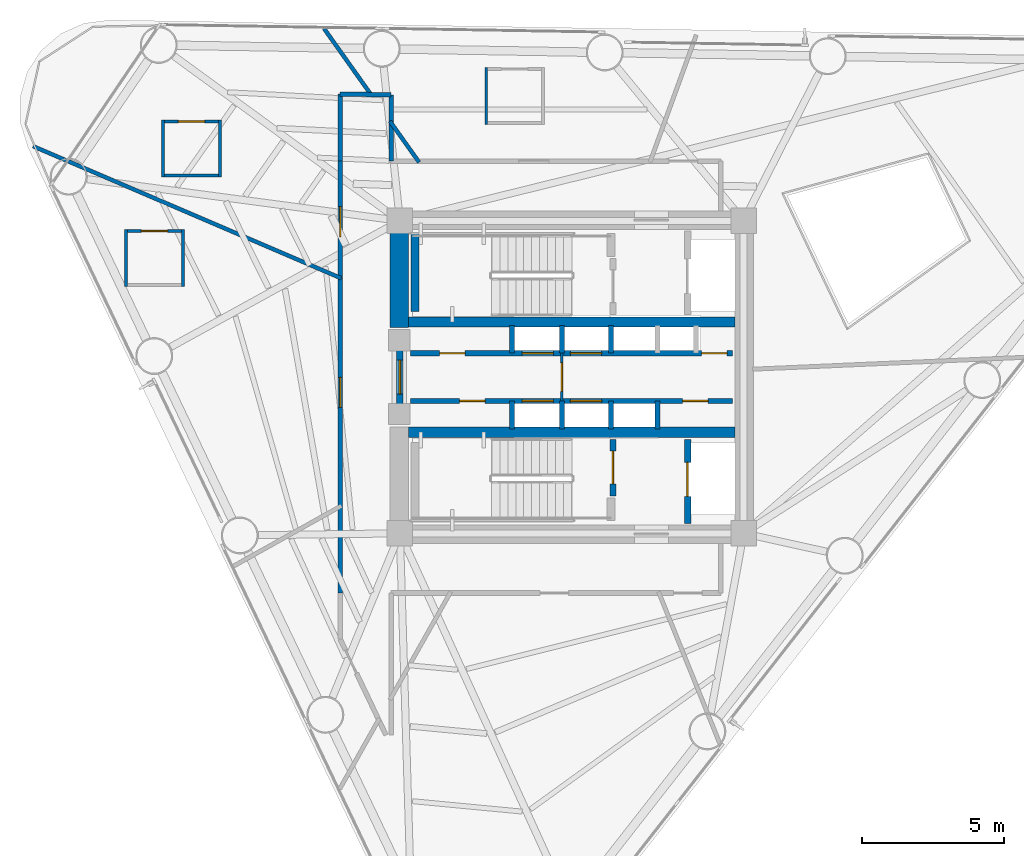
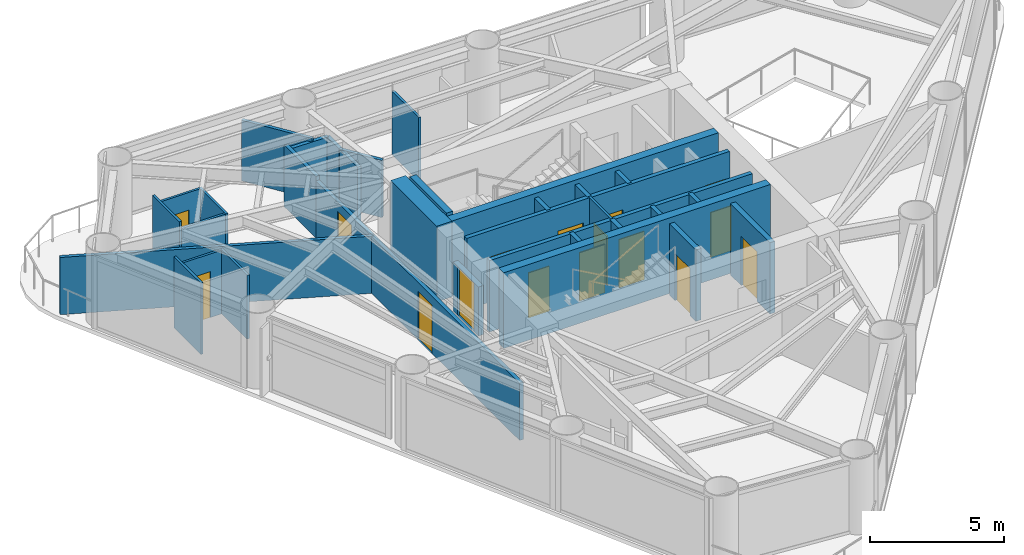
# One storey, part 6 of 10: 32 walls, 16 doors, 16 openings.
"""IFC4 building model written with IfcOpenShell, lengths in metres."""

from ifc_helpers import new_model, si_unit, direction, frame, frame_2d, origin, place, context, subcontext, project, spatial, rectangle, extrude, material, layer, layer_set, type_object, element, fill, save


model = new_model("IFC4")

# Units and contexts
model_context = context("Model", 3, precision=1e-05, world=origin(), true_north=direction((0.0, 1.0)))
body_context = subcontext(model_context, "Body", "Model", "MODEL_VIEW")
ifc_project = project(units=[si_unit("LENGTHUNIT", "METRE"), si_unit("AREAUNIT", "SQUARE_METRE"), si_unit("VOLUMEUNIT", "CUBIC_METRE"), si_unit("PLANEANGLEUNIT", "RADIAN"), si_unit("MASSUNIT", "GRAM", prefix="KILO")], contexts=[model_context])

# Site, building, storey
site_placement = place(None, origin())
site = spatial("IfcSite", under=ifc_project, at=site_placement, CompositionType="ELEMENT")
building_placement = place(site_placement, origin())
building = spatial("IfcBuilding", under=site, at=building_placement, Name="Yunling Apex Tower", CompositionType="ELEMENT")
storey_placement = place(building_placement, frame((0.0, 0.0, 143.300048828125)))
storey = spatial("IfcBuildingStorey", under=building, at=storey_placement, Name="L35", CompositionType="ELEMENT", Elevation=143.300048828125)

# Walls
ifc_material_1 = material(Name="Concrete C50", Category="concrete")
ifc_layer_1 = layer(ifc_material_1, 0.64990234375)
ifc_layer_set_1 = layer_set([ifc_layer_1], Name="Concrete C50")
wall_type_1 = type_object("IfcWallType", Name="WL-COR-2", PredefinedType="SHEAR", material=ifc_layer_set_1)
wall_1_placement = place(storey_placement, frame((-6.074951171875, 1.75, 0.0), z_axis=(0.0, 0.0, 1.0), x_axis=(0.0, 1.0, 0.0)))
element("IfcWall", 1, at=wall_1_placement, inside=storey, type_object=wall_type_1, Name="L35 West-North Core Shear Wall", PredefinedType="SHEAR", context=body_context, shape_type="SweptSolid", body=[
    extrude(rectangle(XDim=3.449951171875, YDim=0.64990234375, at=frame_2d((1.72509765625, 0.0))), origin(), (0.0, 0.0, 1.0), 3.449951171875),
])
ifc_material_2 = material(Name="Concrete C40", Category="concrete")
ifc_layer_2 = layer(ifc_material_2, 0.360107421875)
ifc_layer_set_2 = layer_set([ifc_layer_2], Name="Concrete C40")
wall_type_2 = type_object("IfcWallType", Name="WL-COR-4", PredefinedType="SHEAR", material=ifc_layer_set_2)
for number, where, z_axis, x_axis, name in (
    (2, (-5.75, 1.93994140625, 0.0), (0.0, 0.0, 1.0), (1.0, 0.0, 0.0), "L35 North Internal Core Shear Wall"),
    (3, (-5.75, -1.93994140625, 0.0), (0.0, 0.0, 1.0), (1.0, 0.0, 0.0), "L35 South Internal Core Shear Wall"),
):
    element("IfcWall", number, at=place(storey_placement, frame(where, z_axis=z_axis, x_axis=x_axis)), inside=storey, type_object=wall_type_2, Name=name, PredefinedType="SHEAR", context=body_context, shape_type="SweptSolid", body=[
        extrude(rectangle(XDim=11.5, YDim=0.360107421875, at=frame_2d((5.75, 0.0))), origin(), (0.0, 0.0, 1.0), 3.449951171875),
    ])
ifc_layer_3 = layer(ifc_material_2, 0.280029296875)
ifc_layer_set_3 = layer_set([ifc_layer_3], Name="Concrete C40")
wall_type_3 = type_object("IfcWallType", Name="WL-COR-8", PredefinedType="SHEAR", material=ifc_layer_set_3)
wall_2_placement = place(storey_placement, frame((-5.52001953125, 2.300048828125, 0.0), z_axis=(0.0, 0.0, 1.0), x_axis=(0.0, 1.0, 0.0)))
element("IfcWall", 4, at=wall_2_placement, inside=storey, type_object=wall_type_3, Name="L35 ST-1 West Landing Bearing Wall", PredefinedType="SHEAR", context=body_context, shape_type="SweptSolid", body=[
    extrude(rectangle(XDim=2.75, YDim=0.280029296875, at=frame_2d((1.375, 0.0))), origin(), (0.0, 0.0, 1.0), 3.449951171875),
])

# Wall, openings, doors
ifc_material_3 = material(Name="Gypsum board acoustic partition")
ifc_layer_4 = layer(ifc_material_3, 0.159912109375)
ifc_layer_set_4 = layer_set([ifc_layer_4], Name="Gypsum board acoustic partition")
wall_type_4 = type_object("IfcWallType", Name="WL-PRT-1", PredefinedType="PARTITIONING", material=ifc_layer_set_4)
wall_3_placement = place(storey_placement, frame((-8.14990234375, -7.60009765625, 0.0), z_axis=(0.0, 0.0, 1.0), x_axis=(0.0, 1.0, 0.0)))
wall_3 = element("IfcWall", 5, at=wall_3_placement, inside=storey, type_object=wall_type_4, Name="WL-CORR-L35-03", PredefinedType="PARTITIONING", context=body_context, shape_type="SweptSolid", body=[
    extrude(rectangle(XDim=15.2001953125, YDim=0.159912109375, at=frame_2d((7.60009765625, 0.0))), origin(), (0.0, 0.0, 1.0), 2.60498046875),
])
opening_1_placement = place(wall_3_placement, frame((6.538330078125, 0.0, 0.0)))
opening_1 = element("IfcOpeningElement", 6, at=opening_1_placement, cuts=wall_3, Name="Opening DR-FL-1", PredefinedType="OPENING", context=body_context, shape_type="SweptSolid", body=[
    extrude(rectangle(XDim=1.050048828125, YDim=2.199951171875, at=frame_2d((0.52490234375, 1.10009765625))), frame((0.0, 0.08984375, 0.0), z_axis=(0.0, -1.0, 0.0), x_axis=(1.0, 0.0, 0.0)), (0.0, 0.0, 1.0), 0.179931640625),
])
opening_2_placement = place(wall_3_placement, frame((12.548095703125, 0.0, 0.0)))
opening_2 = element("IfcOpeningElement", 7, at=opening_2_placement, cuts=wall_3, Name="Opening DR-FL-1", PredefinedType="OPENING", context=body_context, shape_type="SweptSolid", body=[
    extrude(rectangle(XDim=1.050048828125, YDim=2.199951171875, at=frame_2d((0.52490234375, 1.10009765625))), frame((0.0, 0.08984375, 0.0), z_axis=(0.0, -1.0, 0.0), x_axis=(1.0, 0.0, 0.0)), (0.0, 0.0, 1.0), 0.179931640625),
])
ifc_material_4 = material(Name="Timber fire-rated leaf", Category="wood")
door_type_1 = type_object("IfcDoorType", Name="DR-FL-1", OperationType="NOTDEFINED", PredefinedType="DOOR", material=ifc_material_4)
door_1_placement = place(opening_1_placement, origin())
door_1 = element("IfcDoor", 8, at=door_1_placement, inside=storey, type_object=door_type_1, Name="L35 Hotel Suite Door", OperationType="SINGLE_SWING_RIGHT", OverallHeight=2.199951171875, OverallWidth=1.050048828125, PredefinedType="DOOR", context=body_context, shape_type="SweptSolid", body=[
    extrude(rectangle(XDim=1.050048828125, YDim=2.199951171875, at=frame_2d((0.52490234375, 1.10009765625))), frame((0.0, 0.02490234375, 0.0), z_axis=(0.0, -1.0, 0.0), x_axis=(1.0, 0.0, 0.0)), (0.0, 0.0, 1.0), 0.050048828125),
])
fill(opening_1, door_1)
door_2_placement = place(opening_2_placement, origin())
door_2 = element("IfcDoor", 9, at=door_2_placement, inside=storey, type_object=door_type_1, Name="L35 Hotel Suite Door", OperationType="SINGLE_SWING_LEFT", OverallHeight=2.199951171875, OverallWidth=1.050048828125, PredefinedType="DOOR", context=body_context, shape_type="SweptSolid", body=[
    extrude(rectangle(XDim=1.050048828125, YDim=2.199951171875, at=frame_2d((0.52490234375, 1.10009765625))), frame((0.0, 0.02490234375, 0.0), z_axis=(0.0, -1.0, 0.0), x_axis=(1.0, 0.0, 0.0)), (0.0, 0.0, 1.0), 0.050048828125),
])
fill(opening_2, door_2)

# Walls
wall_4_placement = place(storey_placement, frame((-8.14990234375, 7.60009765625, 0.0), z_axis=(0.0, 0.0, 1.0), x_axis=(0.0, 1.0, 0.0)))
element("IfcWall", 10, at=wall_4_placement, inside=storey, type_object=wall_type_4, Name="WL-CORR-L35-04", PredefinedType="PARTITIONING", context=body_context, shape_type="SweptSolid", body=[
    extrude(rectangle(XDim=2.362548828125, YDim=0.159912109375, at=frame_2d((1.18115234375, 0.0))), origin(), (0.0, 0.0, 1.0), 2.804931640625),
])
wall_5_placement = place(storey_placement, frame((-8.14990234375, 9.962646484375, 0.0), z_axis=(0.0, 0.0, 1.0), x_axis=(0.999859277964, -0.016775704705, 0.0)))
element("IfcWall", 11, at=wall_5_placement, inside=storey, type_object=wall_type_4, Name="WL-CORR-L35-05", PredefinedType="PARTITIONING", context=body_context, shape_type="SweptSolid", body=[
    extrude(rectangle(XDim=1.7900390625, YDim=0.159912109375, at=frame_2d((0.89501953125, 0.0))), origin(), (0.0, 0.0, 1.0), 2.60498046875),
])
wall_6_placement = place(storey_placement, frame((-6.360107421875, 9.9326171875, 0.0), z_axis=(0.0, 0.0, 1.0), x_axis=(0.0, -1.0, 0.0)))
element("IfcWall", 12, at=wall_6_placement, inside=storey, type_object=wall_type_4, Name="WL-CORR-L35-06", PredefinedType="PARTITIONING", context=body_context, shape_type="SweptSolid", body=[
    extrude(rectangle(XDim=2.33251953125, YDim=0.159912109375, at=frame_2d((1.166259765625, 0.0))), origin(), (0.0, 0.0, 1.0), 2.60498046875),
])
ifc_layer_5 = layer(ifc_material_3, 0.139892578125)
ifc_layer_set_5 = layer_set([ifc_layer_5], Name="Gypsum board acoustic partition")
wall_type_5 = type_object("IfcWallType", Name="WL-PRT-2", PredefinedType="PARTITIONING", material=ifc_layer_set_5)
wall_7_placement = place(storey_placement, frame((-5.37255859375, 7.56005859375, 0.0), z_axis=(0.0, 0.0, 1.0), x_axis=(-0.579296202647, 0.815117114039, 0.0)))
element("IfcWall", 13, at=wall_7_placement, inside=storey, type_object=wall_type_5, Name="WL-RAD-L35-03", PredefinedType="PARTITIONING", context=body_context, shape_type="SweptSolid", body=[
    extrude(rectangle(XDim=1.7734375, YDim=0.139892578125, at=frame_2d((0.88671875, 0.0))), origin(), (0.0, 0.0, 1.0), 2.60498046875),
])
wall_8_placement = place(storey_placement, frame((-7.038330078125, 9.904052734375, 0.0), z_axis=(0.0, 0.0, 1.0), x_axis=(-0.57933697246, 0.815088137775, 0.0)))
element("IfcWall", 14, at=wall_8_placement, inside=storey, type_object=wall_type_5, Name="WL-RAD-L35-04", PredefinedType="PARTITIONING", context=body_context, shape_type="SweptSolid", body=[
    extrude(rectangle(XDim=2.893310546875, YDim=0.139892578125, at=frame_2d((1.44677734375, 0.0))), origin(), (0.0, 0.0, 1.0), 2.764892578125),
])
wall_9_placement = place(storey_placement, frame((-8.110107421875, 3.47607421875, 0.0), z_axis=(0.0, 0.0, 1.0), x_axis=(-0.919140751836, 0.393929280854, 0.0)))
element("IfcWall", 15, at=wall_9_placement, inside=storey, type_object=wall_type_5, Name="WL-RAD-L35-05", PredefinedType="PARTITIONING", context=body_context, shape_type="SweptSolid", body=[
    extrude(rectangle(XDim=11.806884765625, YDim=0.139892578125, at=frame_2d((5.9033203125, 0.0))), origin(), (0.0, 0.0, 1.0), 2.60498046875),
])

# Wall, opening, door
ifc_layer_6 = layer(ifc_material_3, 0.10009765625)
ifc_layer_set_6 = layer_set([ifc_layer_6], Name="Gypsum board acoustic partition")
wall_type_6 = type_object("IfcWallType", Name="WL-PRT-4", PredefinedType="PARTITIONING", material=ifc_layer_set_6)
wall_10_placement = place(storey_placement, frame((-0.35009765625, -0.840087890625, 0.0), z_axis=(0.0, 0.0, 1.0), x_axis=(0.0, 1.0, 0.0)))
wall_10 = element("IfcWall", 16, at=wall_10_placement, inside=storey, type_object=wall_type_6, Name="WL-LOB-MID-L35", PredefinedType="PARTITIONING", context=body_context, shape_type="SweptSolid", body=[
    extrude(rectangle(XDim=1.68017578125, YDim=0.10009765625, at=frame_2d((0.840087890625, 0.0))), origin(), (0.0, 0.0, 1.0), 3.25),
])
opening_3_placement = place(wall_10_placement, frame((0.340087890625, 0.0, 0.0)))
opening_3 = element("IfcOpeningElement", 17, at=opening_3_placement, cuts=wall_10, Name="Opening DR-OFF-1", PredefinedType="OPENING", context=body_context, shape_type="SweptSolid", body=[
    extrude(rectangle(XDim=1.0, YDim=2.25, at=frame_2d((0.5, 1.125))), frame((0.0, 0.06005859375, 0.0), z_axis=(0.0, -1.0, 0.0), x_axis=(1.0, 0.0, 0.0)), (0.0, 0.0, 1.0), 0.1201171875),
])
ifc_material_5 = material(Name="Bronze anodised aluminium", Category="aluminium")
door_type_2 = type_object("IfcDoorType", Name="DR-OFF-1", OperationType="NOTDEFINED", PredefinedType="DOOR", material=ifc_material_5)
door_3_placement = place(opening_3_placement, origin())
door_3 = element("IfcDoor", 18, at=door_3_placement, inside=storey, type_object=door_type_2, Name="L35 Core Lobby Link Door", OperationType="SINGLE_SWING_LEFT", OverallHeight=2.25, OverallWidth=1.0, PredefinedType="DOOR", context=body_context, shape_type="SweptSolid", body=[
    extrude(rectangle(XDim=1.0, YDim=2.25, at=frame_2d((0.5, 1.125))), frame((0.0, 0.02490234375, 0.0), z_axis=(0.0, -1.0, 0.0), x_axis=(1.0, 0.0, 0.0)), (0.0, 0.0, 1.0), 0.050048828125),
])
fill(opening_3, door_3)

# Wall
wall_11_placement = place(storey_placement, frame((-3.009033203125, 8.89208984375, 0.0), z_axis=(0.0, 0.0, 1.0), x_axis=(0.0, 1.0, 0.0)))
element("IfcWall", 19, at=wall_11_placement, inside=storey, type_object=wall_type_6, Name="WL-ENS-L35-5W", PredefinedType="PARTITIONING", context=body_context, shape_type="SweptSolid", body=[
    extrude(rectangle(XDim=2.0, YDim=0.10009765625, at=frame_2d((1.0, 0.0))), origin(), (0.0, 0.0, 1.0), 2.905029296875),
])

# Wall, opening, door
wall_12_placement = place(storey_placement, frame((-14.43310546875, 9.0, 0.0), z_axis=(0.0, 0.0, 1.0), x_axis=(1.0, 0.0, 0.0)))
wall_12 = element("IfcWall", 20, at=wall_12_placement, inside=storey, type_object=wall_type_6, Name="WL-ENS-L35-6N", PredefinedType="PARTITIONING", context=body_context, shape_type="SweptSolid", body=[
    extrude(rectangle(XDim=2.10009765625, YDim=0.10009765625, at=frame_2d((1.050048828125, 0.0))), origin(), (0.0, 0.0, 1.0), 2.905029296875),
])
opening_4_placement = place(wall_12_placement, frame((0.590087890625, 0.0, 0.0)))
opening_4 = element("IfcOpeningElement", 21, at=opening_4_placement, cuts=wall_12, Name="Opening DR-WC-1", PredefinedType="OPENING", context=body_context, shape_type="SweptSolid", body=[
    extrude(rectangle(XDim=0.919921875, YDim=2.10009765625, at=frame_2d((0.4599609375, 1.050048828125))), frame((0.0, 0.06005859375, 0.0), z_axis=(0.0, -1.0, 0.0), x_axis=(1.0, 0.0, 0.0)), (0.0, 0.0, 1.0), 0.1201171875),
])
ifc_material_6 = material(Name="Timber moisture-resistant leaf", Category="wood")
door_type_3 = type_object("IfcDoorType", Name="DR-WC-1", OperationType="NOTDEFINED", PredefinedType="DOOR", material=ifc_material_6)
door_4_placement = place(opening_4_placement, origin())
door_4 = element("IfcDoor", 22, at=door_4_placement, inside=storey, type_object=door_type_3, Name="L35 En-Suite Door", OperationType="SINGLE_SWING_LEFT", OverallHeight=2.10009765625, OverallWidth=0.919921875, PredefinedType="DOOR", context=body_context, shape_type="SweptSolid", body=[
    extrude(rectangle(XDim=0.919921875, YDim=2.10009765625, at=frame_2d((0.4599609375, 1.050048828125))), frame((0.0, 0.02490234375, 0.0), z_axis=(0.0, -1.0, 0.0), x_axis=(1.0, 0.0, 0.0)), (0.0, 0.0, 1.0), 0.050048828125),
])
fill(opening_4, door_4)

# Walls
wall_13_placement = place(storey_placement, frame((-12.3330078125, 7.10009765625, 0.0), z_axis=(0.0, 0.0, 1.0), x_axis=(-1.0, 0.0, 0.0)))
element("IfcWall", 23, at=wall_13_placement, inside=storey, type_object=wall_type_6, Name="WL-ENS-L35-6S", PredefinedType="PARTITIONING", context=body_context, shape_type="SweptSolid", body=[
    extrude(rectangle(XDim=2.10009765625, YDim=0.10009765625, at=frame_2d((1.050048828125, 0.0))), origin(), (0.0, 0.0, 1.0), 2.905029296875),
])
wall_14_placement = place(storey_placement, frame((-12.383056640625, 9.050048828125, 0.0), z_axis=(0.0, 0.0, 1.0), x_axis=(0.0, -1.0, 0.0)))
element("IfcWall", 24, at=wall_14_placement, inside=storey, type_object=wall_type_6, Name="WL-ENS-L35-6E", PredefinedType="PARTITIONING", context=body_context, shape_type="SweptSolid", body=[
    extrude(rectangle(XDim=2.0, YDim=0.10009765625, at=frame_2d((1.0, 0.0))), origin(), (0.0, 0.0, 1.0), 2.905029296875),
])
wall_15_placement = place(storey_placement, frame((-14.383056640625, 7.050048828125, 0.0), z_axis=(0.0, 0.0, 1.0), x_axis=(0.0, 1.0, 0.0)))
element("IfcWall", 25, at=wall_15_placement, inside=storey, type_object=wall_type_6, Name="WL-ENS-L35-6W", PredefinedType="PARTITIONING", context=body_context, shape_type="SweptSolid", body=[
    extrude(rectangle(XDim=2.0, YDim=0.10009765625, at=frame_2d((1.0, 0.0))), origin(), (0.0, 0.0, 1.0), 3.25),
])

# Wall, opening, door
wall_16_placement = place(storey_placement, frame((-15.736083984375, 5.14111328125, 0.0), z_axis=(0.0, 0.0, 1.0), x_axis=(1.0, 0.0, 0.0)))
wall_16 = element("IfcWall", 26, at=wall_16_placement, inside=storey, type_object=wall_type_6, Name="WL-ENS-L35-7N", PredefinedType="PARTITIONING", context=body_context, shape_type="SweptSolid", body=[
    extrude(rectangle(XDim=2.10009765625, YDim=0.10009765625, at=frame_2d((1.050048828125, 0.0))), origin(), (0.0, 0.0, 1.0), 2.905029296875),
])
opening_5_placement = place(wall_16_placement, frame((0.590087890625, 0.0, 0.0)))
opening_5 = element("IfcOpeningElement", 27, at=opening_5_placement, cuts=wall_16, Name="Opening DR-WC-1", PredefinedType="OPENING", context=body_context, shape_type="SweptSolid", body=[
    extrude(rectangle(XDim=0.919921875, YDim=2.10009765625, at=frame_2d((0.4599609375, 1.050048828125))), frame((0.0, 0.06005859375, 0.0), z_axis=(0.0, -1.0, 0.0), x_axis=(1.0, 0.0, 0.0)), (0.0, 0.0, 1.0), 0.1201171875),
])
door_5_placement = place(opening_5_placement, origin())
door_5 = element("IfcDoor", 28, at=door_5_placement, inside=storey, type_object=door_type_3, Name="L35 En-Suite Door", OperationType="SINGLE_SWING_RIGHT", OverallHeight=2.10009765625, OverallWidth=0.919921875, PredefinedType="DOOR", context=body_context, shape_type="SweptSolid", body=[
    extrude(rectangle(XDim=0.919921875, YDim=2.10009765625, at=frame_2d((0.4599609375, 1.050048828125))), frame((0.0, 0.02490234375, 0.0), z_axis=(0.0, -1.0, 0.0), x_axis=(1.0, 0.0, 0.0)), (0.0, 0.0, 1.0), 0.050048828125),
])
fill(opening_5, door_5)

# Walls
wall_17_placement = place(storey_placement, frame((-13.68603515625, 5.19091796875, 0.0), z_axis=(0.0, 0.0, 1.0), x_axis=(0.0, -1.0, 0.0)))
element("IfcWall", 29, at=wall_17_placement, inside=storey, type_object=wall_type_6, Name="WL-ENS-L35-7E", PredefinedType="PARTITIONING", context=body_context, shape_type="SweptSolid", body=[
    extrude(rectangle(XDim=2.0, YDim=0.10009765625, at=frame_2d((1.0, 0.0))), origin(), (0.0, 0.0, 1.0), 2.905029296875),
])
wall_18_placement = place(storey_placement, frame((-15.68603515625, 3.19091796875, 0.0), z_axis=(0.0, 0.0, 1.0), x_axis=(0.0, 1.0, 0.0)))
element("IfcWall", 30, at=wall_18_placement, inside=storey, type_object=wall_type_6, Name="WL-ENS-L35-7W", PredefinedType="PARTITIONING", context=body_context, shape_type="SweptSolid", body=[
    extrude(rectangle(XDim=2.0, YDim=0.10009765625, at=frame_2d((1.0, 0.0))), origin(), (0.0, 0.0, 1.0), 3.25),
])

# Wall, opening, door
ifc_material_7 = material(Name="Autoclaved aerated concrete masonry", Category="masonry")
ifc_layer_7 = layer(ifc_material_7, 0.219970703125)
ifc_layer_set_7 = layer_set([ifc_layer_7], Name="Autoclaved aerated concrete masonry")
wall_type_7 = type_object("IfcWallType", Name="WL-SHF-1", PredefinedType="PLUMBINGWALL", material=ifc_layer_set_7)
wall_19_placement = place(storey_placement, frame((-6.050048828125, -0.949951171875, 0.0), z_axis=(0.0, 0.0, 1.0), x_axis=(0.0, 1.0, 0.0)))
wall_19 = element("IfcWall", 31, at=wall_19_placement, inside=storey, type_object=wall_type_7, Name="WL-COR-WPORT-L35", PredefinedType="PLUMBINGWALL", context=body_context, shape_type="SweptSolid", body=[
    extrude(rectangle(XDim=1.89990234375, YDim=0.219970703125, at=frame_2d((0.949951171875, 0.0))), origin(), (0.0, 0.0, 1.0), 2.22998046875),
])
opening_6_placement = place(wall_19_placement, frame((0.35009765625, 0.0, 0.0)))
opening_6 = element("IfcOpeningElement", 32, at=opening_6_placement, cuts=wall_19, Name="Opening DR-FFL-1", PredefinedType="OPENING", context=body_context, shape_type="SweptSolid", body=[
    extrude(rectangle(XDim=1.199951171875, YDim=2.199951171875, at=frame_2d((0.60009765625, 1.10009765625))), frame((0.0, 0.1201171875, 0.0), z_axis=(0.0, -1.0, 0.0), x_axis=(1.0, 0.0, 0.0)), (0.0, 0.0, 1.0), 0.239990234375),
])
ifc_material_8 = material(Name="Steel Q355B", Category="steel")
door_type_4 = type_object("IfcDoorType", Name="DR-FFL-1", OperationType="NOTDEFINED", PredefinedType="DOOR", material=ifc_material_8)
door_6_placement = place(opening_6_placement, origin())
door_6 = element("IfcDoor", 33, at=door_6_placement, inside=storey, type_object=door_type_4, Name="L35 Passenger Lift Lobby Entrance Door", OperationType="SINGLE_SWING_RIGHT", OverallHeight=2.199951171875, OverallWidth=1.199951171875, PredefinedType="DOOR", context=body_context, shape_type="SweptSolid", body=[
    extrude(rectangle(XDim=1.199951171875, YDim=2.199951171875, at=frame_2d((0.60009765625, 1.10009765625))), frame((0.0, 0.02490234375, 0.0), z_axis=(0.0, -1.0, 0.0), x_axis=(1.0, 0.0, 0.0)), (0.0, 0.0, 1.0), 0.050048828125),
])
fill(opening_6, door_6)

wall_20_placement = place(storey_placement, frame((1.449951171875, -4.179931640625, 0.0), z_axis=(0.0, 0.0, 1.0), x_axis=(0.0, 1.0, 0.0)))
wall_20 = element("IfcWall", 34, at=wall_20_placement, inside=storey, type_object=wall_type_7, Name="WL-ST2-E-L35", PredefinedType="PLUMBINGWALL", context=body_context, shape_type="SweptSolid", body=[
    extrude(rectangle(XDim=1.97998046875, YDim=0.219970703125, at=frame_2d((0.989990234375, 0.0))), origin(), (0.0, 0.0, 1.0), 3.25),
])
opening_7_placement = place(wall_20_placement, frame((0.419921875, 0.0, 0.0)))
opening_7 = element("IfcOpeningElement", 35, at=opening_7_placement, cuts=wall_20, Name="Opening DR-ST-1", PredefinedType="OPENING", context=body_context, shape_type="SweptSolid", body=[
    extrude(rectangle(XDim=1.14990234375, YDim=2.14990234375, at=frame_2d((0.574951171875, 1.074951171875))), frame((0.0, 0.1201171875, 0.0), z_axis=(0.0, -1.0, 0.0), x_axis=(1.0, 0.0, 0.0)), (0.0, 0.0, 1.0), 0.239990234375),
])
door_type_5 = type_object("IfcDoorType", Name="DR-ST-1", OperationType="NOTDEFINED", PredefinedType="DOOR", material=ifc_material_8)
door_7_placement = place(opening_7_placement, origin())
door_7 = element("IfcDoor", 36, at=door_7_placement, inside=storey, type_object=door_type_5, Name="L35 Stair ST-2 Fire Door", OperationType="SINGLE_SWING_RIGHT", OverallHeight=2.14990234375, OverallWidth=1.14990234375, PredefinedType="DOOR", context=body_context, shape_type="SweptSolid", body=[
    extrude(rectangle(XDim=1.14990234375, YDim=2.14990234375, at=frame_2d((0.574951171875, 1.074951171875))), frame((0.0, 0.02490234375, 0.0), z_axis=(0.0, -1.0, 0.0), x_axis=(1.0, 0.0, 0.0)), (0.0, 0.0, 1.0), 0.050048828125),
])
fill(opening_7, door_7)

wall_21_placement = place(storey_placement, frame((4.080078125, -5.14990234375, 0.0), z_axis=(0.0, 0.0, 1.0), x_axis=(0.0, 1.0, 0.0)))
wall_21 = element("IfcWall", 37, at=wall_21_placement, inside=storey, type_object=wall_type_7, Name="WL-FFL2-W-L35", PredefinedType="PLUMBINGWALL", context=body_context, shape_type="SweptSolid", body=[
    extrude(rectangle(XDim=2.949951171875, YDim=0.219970703125, at=frame_2d((1.47509765625, 0.0))), origin(), (0.0, 0.0, 1.0), 3.25),
])
opening_8_placement = place(wall_21_placement, frame((0.949951171875, 0.0, 0.0)))
opening_8 = element("IfcOpeningElement", 38, at=opening_8_placement, cuts=wall_21, Name="Opening LD-FFL-1", PredefinedType="OPENING", context=body_context, shape_type="SweptSolid", body=[
    extrude(rectangle(XDim=1.199951171875, YDim=2.25, at=frame_2d((0.60009765625, 1.125))), frame((0.0, 0.1201171875, 0.0), z_axis=(0.0, -1.0, 0.0), x_axis=(1.0, 0.0, 0.0)), (0.0, 0.0, 1.0), 0.239990234375),
])
door_type_6 = type_object("IfcDoorType", Name="LD-FFL-1", OperationType="DOUBLE_DOOR_SLIDING", PredefinedType="DOOR", material=ifc_material_8)
door_8_placement = place(opening_8_placement, origin())
door_8 = element("IfcDoor", 39, at=door_8_placement, inside=storey, type_object=door_type_6, Name="L35 Lift FFL-2 Landing Door", OperationType="DOUBLE_DOOR_SLIDING", OverallHeight=2.25, OverallWidth=1.199951171875, PredefinedType="DOOR", context=body_context, shape_type="SweptSolid", body=[
    extrude(rectangle(XDim=1.199951171875, YDim=2.25, at=frame_2d((0.60009765625, 1.125))), frame((0.0, 0.02490234375, 0.0), z_axis=(0.0, -1.0, 0.0), x_axis=(1.0, 0.0, 0.0)), (0.0, 0.0, 1.0), 0.050048828125),
])
fill(opening_8, door_8)

# Walls
ifc_layer_8 = layer(ifc_material_7, 0.179931640625)
ifc_layer_set_8 = layer_set([ifc_layer_8], Name="Autoclaved aerated concrete masonry")
wall_type_8 = type_object("IfcWallType", Name="WL-SHF-2", PredefinedType="PLUMBINGWALL", material=ifc_layer_set_8)
for number, where, z_axis, x_axis, name in (
    (40, (-2.10009765625, 0.840087890625, 0.0), (0.0, 0.0, 1.0), (0.0, 1.0, 0.0), "WL-BNK-LM-N-L35"),
    (41, (-2.10009765625, -1.820068359375, 0.0), (0.0, 0.0, 1.0), (0.0, 1.0, 0.0), "WL-BNK-LM-S-L35"),
    (42, (-0.35009765625, 0.840087890625, 0.0), (0.0, 0.0, 1.0), (0.0, 1.0, 0.0), "WL-DIV-M12-L35"),
    (43, (-0.35009765625, -1.820068359375, 0.0), (0.0, 0.0, 1.0), (0.0, 1.0, 0.0), "WL-DIV-M34-L35"),
    (44, (1.3798828125, 0.840087890625, 0.0), (0.0, 0.0, 1.0), (0.0, 1.0, 0.0), "WL-BNK-MH-N-L35"),
    (45, (1.3798828125, -1.820068359375, 0.0), (0.0, 0.0, 1.0), (0.0, 1.0, 0.0), "WL-BNK-MH-S-L35"),
    (46, (3.02001953125, -1.820068359375, 0.0), (0.0, 0.0, 1.0), (0.0, 1.0, 0.0), "WL-END-H2E-L35"),
):
    element("IfcWall", number, at=place(storey_placement, frame(where, z_axis=z_axis, x_axis=x_axis)), inside=storey, type_object=wall_type_8, Name=name, PredefinedType="PLUMBINGWALL", context=body_context, shape_type="SweptSolid", body=[
        extrude(rectangle(XDim=0.97998046875, YDim=0.179931640625, at=frame_2d((0.489990234375, 0.0))), origin(), (0.0, 0.0, 1.0), 3.25),
    ])

# Wall, openings, doors
wall_22_placement = place(storey_placement, frame((-5.679931640625, 0.840087890625, 0.0), z_axis=(0.0, 0.0, 1.0), x_axis=(1.0, 0.0, 0.0)))
wall_22 = element("IfcWall", 47, at=wall_22_placement, inside=storey, type_object=wall_type_8, Name="WL-LOB-N-L35", PredefinedType="PLUMBINGWALL", context=body_context, shape_type="SweptSolid", body=[
    extrude(rectangle(XDim=11.329833984375, YDim=0.179931640625, at=frame_2d((5.6650390625, 0.0))), origin(), (0.0, 0.0, 1.0), 3.25),
])
opening_9_placement = place(wall_22_placement, frame((1.030029296875, 0.0, 0.0)))
opening_9 = element("IfcOpeningElement", 48, at=opening_9_placement, cuts=wall_22, Name="Opening DR-SHF-1", PredefinedType="OPENING", context=body_context, shape_type="SweptSolid", body=[
    extrude(rectangle(XDim=0.89990234375, YDim=2.050048828125, at=frame_2d((0.449951171875, 1.02490234375))), frame((0.0, 0.10009765625, 0.0), z_axis=(0.0, -1.0, 0.0), x_axis=(1.0, 0.0, 0.0)), (0.0, 0.0, 1.0), 0.199951171875),
])
opening_10_placement = place(wall_22_placement, frame((3.929931640625, 0.0, 0.0)))
opening_10 = element("IfcOpeningElement", 49, at=opening_10_placement, cuts=wall_22, Name="Opening LD-PAS-1", PredefinedType="OPENING", context=body_context, shape_type="SweptSolid", body=[
    extrude(rectangle(XDim=1.10009765625, YDim=2.199951171875, at=frame_2d((0.550048828125, 1.10009765625))), frame((0.0, 0.10009765625, 0.0), z_axis=(0.0, -1.0, 0.0), x_axis=(1.0, 0.0, 0.0)), (0.0, 0.0, 1.0), 0.199951171875),
])
opening_11_placement = place(wall_22_placement, frame((5.6298828125, 0.0, 0.0)))
opening_11 = element("IfcOpeningElement", 50, at=opening_11_placement, cuts=wall_22, Name="Opening LD-PAS-1", PredefinedType="OPENING", context=body_context, shape_type="SweptSolid", body=[
    extrude(rectangle(XDim=1.10009765625, YDim=2.199951171875, at=frame_2d((0.550048828125, 1.10009765625))), frame((0.0, 0.10009765625, 0.0), z_axis=(0.0, -1.0, 0.0), x_axis=(1.0, 0.0, 0.0)), (0.0, 0.0, 1.0), 0.199951171875),
])
opening_12_placement = place(wall_22_placement, frame((10.25, 0.0, 0.0)))
opening_12 = element("IfcOpeningElement", 51, at=opening_12_placement, cuts=wall_22, Name="Opening DR-SHF-1", PredefinedType="OPENING", context=body_context, shape_type="SweptSolid", body=[
    extrude(rectangle(XDim=0.89990234375, YDim=2.050048828125, at=frame_2d((0.449951171875, 1.02490234375))), frame((0.0, 0.10009765625, 0.0), z_axis=(0.0, -1.0, 0.0), x_axis=(1.0, 0.0, 0.0)), (0.0, 0.0, 1.0), 0.199951171875),
])
door_type_7 = type_object("IfcDoorType", Name="DR-SHF-1", OperationType="NOTDEFINED", PredefinedType="DOOR", material=ifc_material_8)
door_9_placement = place(opening_9_placement, origin())
door_9 = element("IfcDoor", 52, at=door_9_placement, inside=storey, type_object=door_type_7, Name="L35 LV Switchgear Door", OperationType="SINGLE_SWING_RIGHT", OverallHeight=2.050048828125, OverallWidth=0.89990234375, PredefinedType="DOOR", context=body_context, shape_type="SweptSolid", body=[
    extrude(rectangle(XDim=0.89990234375, YDim=2.050048828125, at=frame_2d((0.449951171875, 1.02490234375))), frame((0.0, 0.02490234375, 0.0), z_axis=(0.0, -1.0, 0.0), x_axis=(1.0, 0.0, 0.0)), (0.0, 0.0, 1.0), 0.050048828125),
])
fill(opening_9, door_9)
door_10_placement = place(opening_12_placement, origin())
door_10 = element("IfcDoor", 53, at=door_10_placement, inside=storey, type_object=door_type_7, Name="L35 Core Janitor Closet Door", OperationType="SINGLE_SWING_LEFT", OverallHeight=2.050048828125, OverallWidth=0.89990234375, PredefinedType="DOOR", context=body_context, shape_type="SweptSolid", body=[
    extrude(rectangle(XDim=0.89990234375, YDim=2.050048828125, at=frame_2d((0.449951171875, 1.02490234375))), frame((0.0, 0.02490234375, 0.0), z_axis=(0.0, -1.0, 0.0), x_axis=(1.0, 0.0, 0.0)), (0.0, 0.0, 1.0), 0.050048828125),
])
fill(opening_12, door_10)
ifc_material_9 = material(Name="Silver anodised aluminium", Category="aluminium")
door_type_8 = type_object("IfcDoorType", Name="LD-PAS-1", OperationType="DOUBLE_DOOR_SLIDING", PredefinedType="DOOR", material=ifc_material_9)
door_11_placement = place(opening_10_placement, origin())
door_11 = element("IfcDoor", 54, at=door_11_placement, inside=storey, type_object=door_type_8, Name="L35 Lift PL-M1 Landing Door", OperationType="DOUBLE_DOOR_SLIDING", OverallHeight=2.199951171875, OverallWidth=1.10009765625, PredefinedType="DOOR", context=body_context, shape_type="SweptSolid", body=[
    extrude(rectangle(XDim=1.10009765625, YDim=2.199951171875, at=frame_2d((0.550048828125, 1.10009765625))), frame((0.0, 0.02490234375, 0.0), z_axis=(0.0, -1.0, 0.0), x_axis=(1.0, 0.0, 0.0)), (0.0, 0.0, 1.0), 0.050048828125),
])
fill(opening_10, door_11)
door_12_placement = place(opening_11_placement, origin())
door_12 = element("IfcDoor", 55, at=door_12_placement, inside=storey, type_object=door_type_8, Name="L35 Lift PL-M2 Landing Door", OperationType="DOUBLE_DOOR_SLIDING", OverallHeight=2.199951171875, OverallWidth=1.10009765625, PredefinedType="DOOR", context=body_context, shape_type="SweptSolid", body=[
    extrude(rectangle(XDim=1.10009765625, YDim=2.199951171875, at=frame_2d((0.550048828125, 1.10009765625))), frame((0.0, 0.02490234375, 0.0), z_axis=(0.0, -1.0, 0.0), x_axis=(1.0, 0.0, 0.0)), (0.0, 0.0, 1.0), 0.050048828125),
])
fill(opening_11, door_12)

wall_23_placement = place(storey_placement, frame((-5.679931640625, -0.840087890625, 0.0), z_axis=(0.0, 0.0, 1.0), x_axis=(1.0, 0.0, 0.0)))
wall_23 = element("IfcWall", 56, at=wall_23_placement, inside=storey, type_object=wall_type_8, Name="WL-LOB-S-L35", PredefinedType="PLUMBINGWALL", context=body_context, shape_type="SweptSolid", body=[
    extrude(rectangle(XDim=11.329833984375, YDim=0.179931640625, at=frame_2d((5.6650390625, 0.0))), origin(), (0.0, 0.0, 1.0), 3.25),
])
opening_13_placement = place(wall_23_placement, frame((1.72998046875, 0.0, 0.0)))
opening_13 = element("IfcOpeningElement", 57, at=opening_13_placement, cuts=wall_23, Name="Opening DR-SHF-1", PredefinedType="OPENING", context=body_context, shape_type="SweptSolid", body=[
    extrude(rectangle(XDim=0.89990234375, YDim=2.050048828125, at=frame_2d((0.449951171875, 1.02490234375))), frame((0.0, 0.10009765625, 0.0), z_axis=(0.0, -1.0, 0.0), x_axis=(1.0, 0.0, 0.0)), (0.0, 0.0, 1.0), 0.199951171875),
])
opening_14_placement = place(wall_23_placement, frame((3.929931640625, 0.0, 0.0)))
opening_14 = element("IfcOpeningElement", 58, at=opening_14_placement, cuts=wall_23, Name="Opening LD-PAS-1", PredefinedType="OPENING", context=body_context, shape_type="SweptSolid", body=[
    extrude(rectangle(XDim=1.10009765625, YDim=2.199951171875, at=frame_2d((0.550048828125, 1.10009765625))), frame((0.0, 0.10009765625, 0.0), z_axis=(0.0, -1.0, 0.0), x_axis=(1.0, 0.0, 0.0)), (0.0, 0.0, 1.0), 0.199951171875),
])
opening_15_placement = place(wall_23_placement, frame((5.6298828125, 0.0, 0.0)))
opening_15 = element("IfcOpeningElement", 59, at=opening_15_placement, cuts=wall_23, Name="Opening LD-PAS-1", PredefinedType="OPENING", context=body_context, shape_type="SweptSolid", body=[
    extrude(rectangle(XDim=1.10009765625, YDim=2.199951171875, at=frame_2d((0.550048828125, 1.10009765625))), frame((0.0, 0.10009765625, 0.0), z_axis=(0.0, -1.0, 0.0), x_axis=(1.0, 0.0, 0.0)), (0.0, 0.0, 1.0), 0.199951171875),
])
opening_16_placement = place(wall_23_placement, frame((9.580078125, 0.0, 0.0)))
opening_16 = element("IfcOpeningElement", 60, at=opening_16_placement, cuts=wall_23, Name="Opening DR-SHF-1", PredefinedType="OPENING", context=body_context, shape_type="SweptSolid", body=[
    extrude(rectangle(XDim=0.89990234375, YDim=2.050048828125, at=frame_2d((0.449951171875, 1.02490234375))), frame((0.0, 0.10009765625, 0.0), z_axis=(0.0, -1.0, 0.0), x_axis=(1.0, 0.0, 0.0)), (0.0, 0.0, 1.0), 0.199951171875),
])
door_13_placement = place(opening_13_placement, origin())
door_13 = element("IfcDoor", 61, at=door_13_placement, inside=storey, type_object=door_type_7, Name="L35 Cleaners Store Door", OperationType="SINGLE_SWING_RIGHT", OverallHeight=2.050048828125, OverallWidth=0.89990234375, PredefinedType="DOOR", context=body_context, shape_type="SweptSolid", body=[
    extrude(rectangle(XDim=0.89990234375, YDim=2.050048828125, at=frame_2d((0.449951171875, 1.02490234375))), frame((0.0, 0.02490234375, 0.0), z_axis=(0.0, -1.0, 0.0), x_axis=(1.0, 0.0, 0.0)), (0.0, 0.0, 1.0), 0.050048828125),
])
fill(opening_13, door_13)
door_14_placement = place(opening_16_placement, origin())
door_14 = element("IfcDoor", 62, at=door_14_placement, inside=storey, type_object=door_type_7, Name="L35 Core MEP Service Door", OperationType="SINGLE_SWING_LEFT", OverallHeight=2.050048828125, OverallWidth=0.89990234375, PredefinedType="DOOR", context=body_context, shape_type="SweptSolid", body=[
    extrude(rectangle(XDim=0.89990234375, YDim=2.050048828125, at=frame_2d((0.449951171875, 1.02490234375))), frame((0.0, 0.02490234375, 0.0), z_axis=(0.0, -1.0, 0.0), x_axis=(1.0, 0.0, 0.0)), (0.0, 0.0, 1.0), 0.050048828125),
])
fill(opening_16, door_14)
door_15_placement = place(opening_14_placement, origin())
door_15 = element("IfcDoor", 63, at=door_15_placement, inside=storey, type_object=door_type_8, Name="L35 Lift PL-M3 Landing Door", OperationType="DOUBLE_DOOR_SLIDING", OverallHeight=2.199951171875, OverallWidth=1.10009765625, PredefinedType="DOOR", context=body_context, shape_type="SweptSolid", body=[
    extrude(rectangle(XDim=1.10009765625, YDim=2.199951171875, at=frame_2d((0.550048828125, 1.10009765625))), frame((0.0, 0.02490234375, 0.0), z_axis=(0.0, -1.0, 0.0), x_axis=(1.0, 0.0, 0.0)), (0.0, 0.0, 1.0), 0.050048828125),
])
fill(opening_14, door_15)
door_16_placement = place(opening_15_placement, origin())
door_16 = element("IfcDoor", 64, at=door_16_placement, inside=storey, type_object=door_type_8, Name="L35 Lift PL-M4 Landing Door", OperationType="DOUBLE_DOOR_SLIDING", OverallHeight=2.199951171875, OverallWidth=1.10009765625, PredefinedType="DOOR", context=body_context, shape_type="SweptSolid", body=[
    extrude(rectangle(XDim=1.10009765625, YDim=2.199951171875, at=frame_2d((0.550048828125, 1.10009765625))), frame((0.0, 0.02490234375, 0.0), z_axis=(0.0, -1.0, 0.0), x_axis=(1.0, 0.0, 0.0)), (0.0, 0.0, 1.0), 0.050048828125),
])
fill(opening_15, door_16)

save(model, "model.ifc")
